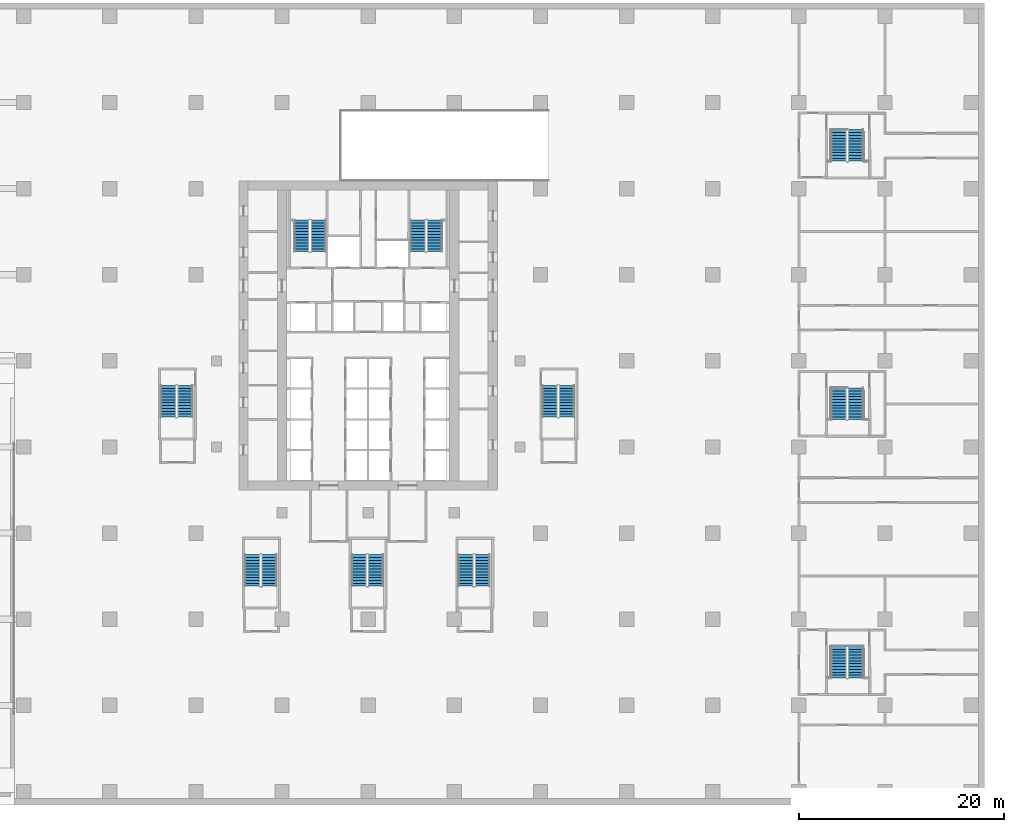
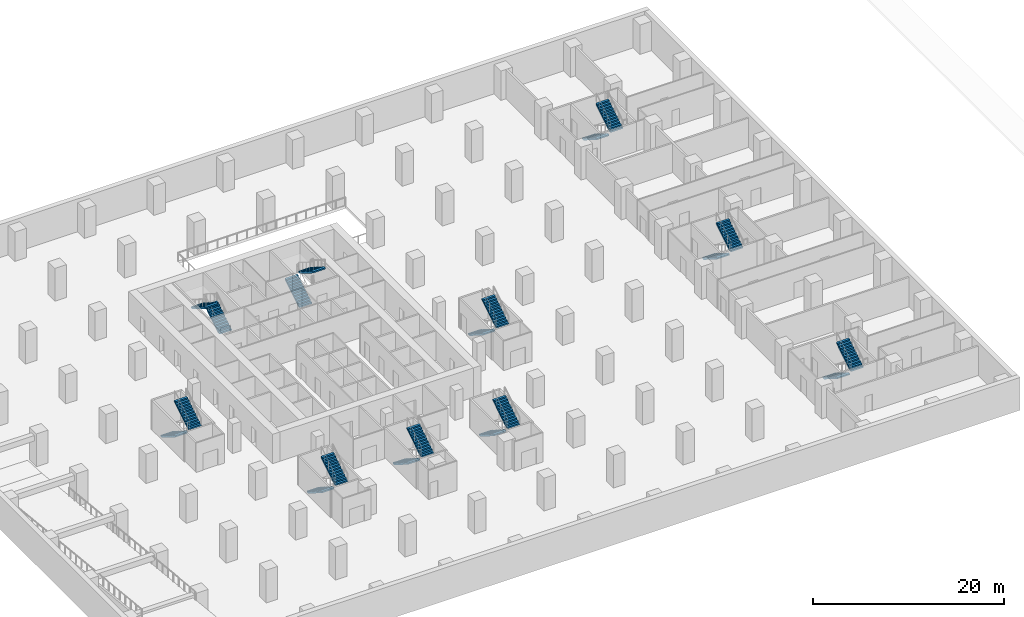
# One storey, part 12 of 17: 20 stair flights, 10 elements without a shape of their own.
"""IFC4 building model written with IfcOpenShell, lengths in metres."""

from ifc_helpers import new_model, si_unit, direction, frame, origin, place, context, subcontext, project, spatial, polyline, outline, extrude, material, type_object, element, aggregate, save


model = new_model("IFC4")

# Units and contexts
model_context = context("Model", 3, precision=1e-05, world=origin(), true_north=direction((0.0, 1.0)))
body_context = subcontext(model_context, "Body", "Model", "MODEL_VIEW")
ifc_project = project(units=[si_unit("LENGTHUNIT", "METRE"), si_unit("AREAUNIT", "SQUARE_METRE"), si_unit("VOLUMEUNIT", "CUBIC_METRE"), si_unit("PLANEANGLEUNIT", "RADIAN"), si_unit("MASSUNIT", "GRAM", prefix="KILO")], contexts=[model_context])

# Site, building, storey
site_placement = place(None, origin())
site = spatial("IfcSite", under=ifc_project, at=site_placement, CompositionType="ELEMENT")
building_placement = place(site_placement, origin())
building = spatial("IfcBuilding", under=site, at=building_placement, Name="Vermilion Ogive Tower", CompositionType="ELEMENT")
storey_placement = place(building_placement, frame((0.0, 0.0, -4.199951171875)))
storey = spatial("IfcBuildingStorey", under=building, at=storey_placement, Name="B1", CompositionType="ELEMENT", Elevation=-4.199951171875)

# Stair, stair flights
ifc_material_1 = material(Name="Concrete B40", Category="concrete")
stair_type = type_object("IfcStairType", Name="Exit stair 1500", PredefinedType="HALF_TURN_STAIR", material=ifc_material_1)
stair_1_placement = place(storey_placement, origin())
stair_1 = element("IfcStair", 1, at=stair_1_placement, inside=storey, type_object=stair_type, Name="B1 Exit Stair ST1", PredefinedType="HALF_TURN_STAIR")
ifc_material_2 = material(Name="Concrete B40", Category="concrete")
stair_flight_type = type_object("IfcStairFlightType", Name="Stair flight 1500", PredefinedType="STRAIGHT", material=ifc_material_2)
stair_flight_1_placement = place(storey_placement, frame((-4.85009765625, 14.85009765625, 0.0), z_axis=(0.0, 0.0, 1.0), x_axis=(0.0, 1.0, 0.0)))
stair_flight_1 = element("IfcStairFlight", 2, at=stair_flight_1_placement, type_object=stair_flight_type, Name="ST1 flight 1", NumberOfRisers=12, NumberOfTreads=11, PredefinedType="STRAIGHT", RiserHeight=0.175, TreadLength=0.28, context=body_context, shape_type="SweptSolid", body=[
    extrude(outline(polyline([(0.0, 0.0), (0.0, 0.175048828125), (0.280029296875, 0.175048828125), (0.280029296875, 0.35009765625), (0.56005859375, 0.35009765625), (0.56005859375, 0.52490234375), (0.840087890625, 0.52490234375), (0.840087890625, 0.699951171875), (1.1201171875, 0.699951171875), (1.1201171875, 0.875), (1.39990234375, 0.875), (1.39990234375, 1.050048828125), (1.679931640625, 1.050048828125), (1.679931640625, 1.22509765625), (1.9599609375, 1.22509765625), (1.9599609375, 1.39990234375), (2.239990234375, 1.39990234375), (2.239990234375, 1.574951171875), (2.52001953125, 1.574951171875), (2.52001953125, 1.75), (2.800048828125, 1.75), (2.800048828125, 1.925048828125), (3.080078125, 1.925048828125), (3.080078125, 2.10009765625), (3.080078125, 1.748291015625), (0.28271484375, 0.0), (0.0, 0.0)])), frame((0.0, 0.75, 0.0), z_axis=(0.0, -1.0, 0.0), x_axis=(1.0, 0.0, 0.0)), (0.0, 0.0, 1.0), 1.5),
])
stair_flight_2_placement = place(storey_placement, frame((-6.5, 17.929931640625, 2.099853515625), z_axis=(0.0, 0.0, 1.0), x_axis=(0.0, -1.0, 0.0)))
stair_flight_2 = element("IfcStairFlight", 3, at=stair_flight_2_placement, type_object=stair_flight_type, Name="ST1 flight 2", NumberOfRisers=12, NumberOfTreads=11, PredefinedType="STRAIGHT", RiserHeight=0.175, TreadLength=0.28, context=body_context, shape_type="SweptSolid", body=[
    extrude(outline(polyline([(0.0, 0.0), (0.0, 0.175048828125), (0.280029296875, 0.175048828125), (0.280029296875, 0.35009765625), (0.56005859375, 0.35009765625), (0.56005859375, 0.52490234375), (0.840087890625, 0.52490234375), (0.840087890625, 0.699951171875), (1.1201171875, 0.699951171875), (1.1201171875, 0.875), (1.39990234375, 0.875), (1.39990234375, 1.050048828125), (1.679931640625, 1.050048828125), (1.679931640625, 1.22509765625), (1.9599609375, 1.22509765625), (1.9599609375, 1.39990234375), (2.239990234375, 1.39990234375), (2.239990234375, 1.574951171875), (2.52001953125, 1.574951171875), (2.52001953125, 1.75), (2.800048828125, 1.75), (2.800048828125, 1.925048828125), (3.080078125, 1.925048828125), (3.080078125, 2.10009765625), (3.080078125, 1.748291015625), (0.28271484375, 0.0), (0.0, 0.0)])), frame((0.0, 0.75, 0.0), z_axis=(0.0, -1.0, 0.0), x_axis=(1.0, 0.0, 0.0)), (0.0, 0.0, 1.0), 1.5),
])
aggregate(stair_1, [stair_flight_1, stair_flight_2])

stair_2_placement = place(storey_placement, origin())
stair_2 = element("IfcStair", 4, at=stair_2_placement, inside=storey, type_object=stair_type, Name="B1 Exit Stair ST2", PredefinedType="HALF_TURN_STAIR")
stair_flight_3_placement = place(storey_placement, frame((4.85009765625, 14.85009765625, 0.0), z_axis=(0.0, 0.0, 1.0), x_axis=(0.0, 1.0, 0.0)))
stair_flight_3 = element("IfcStairFlight", 5, at=stair_flight_3_placement, type_object=stair_flight_type, Name="ST2 flight 1", NumberOfRisers=12, NumberOfTreads=11, PredefinedType="STRAIGHT", RiserHeight=0.175, TreadLength=0.28, context=body_context, shape_type="SweptSolid", body=[
    extrude(outline(polyline([(0.0, 0.0), (0.0, 0.175048828125), (0.280029296875, 0.175048828125), (0.280029296875, 0.35009765625), (0.56005859375, 0.35009765625), (0.56005859375, 0.52490234375), (0.840087890625, 0.52490234375), (0.840087890625, 0.699951171875), (1.1201171875, 0.699951171875), (1.1201171875, 0.875), (1.39990234375, 0.875), (1.39990234375, 1.050048828125), (1.679931640625, 1.050048828125), (1.679931640625, 1.22509765625), (1.9599609375, 1.22509765625), (1.9599609375, 1.39990234375), (2.239990234375, 1.39990234375), (2.239990234375, 1.574951171875), (2.52001953125, 1.574951171875), (2.52001953125, 1.75), (2.800048828125, 1.75), (2.800048828125, 1.925048828125), (3.080078125, 1.925048828125), (3.080078125, 2.10009765625), (3.080078125, 1.748291015625), (0.28271484375, 0.0), (0.0, 0.0)])), frame((0.0, 0.75, 0.0), z_axis=(0.0, -1.0, 0.0), x_axis=(1.0, 0.0, 0.0)), (0.0, 0.0, 1.0), 1.5),
])
stair_flight_4_placement = place(storey_placement, frame((6.5, 17.929931640625, 2.099853515625), z_axis=(0.0, 0.0, 1.0), x_axis=(0.0, -1.0, 0.0)))
stair_flight_4 = element("IfcStairFlight", 6, at=stair_flight_4_placement, type_object=stair_flight_type, Name="ST2 flight 2", NumberOfRisers=12, NumberOfTreads=11, PredefinedType="STRAIGHT", RiserHeight=0.175, TreadLength=0.28, context=body_context, shape_type="SweptSolid", body=[
    extrude(outline(polyline([(0.0, 0.0), (0.0, 0.175048828125), (0.280029296875, 0.175048828125), (0.280029296875, 0.35009765625), (0.56005859375, 0.35009765625), (0.56005859375, 0.52490234375), (0.840087890625, 0.52490234375), (0.840087890625, 0.699951171875), (1.1201171875, 0.699951171875), (1.1201171875, 0.875), (1.39990234375, 0.875), (1.39990234375, 1.050048828125), (1.679931640625, 1.050048828125), (1.679931640625, 1.22509765625), (1.9599609375, 1.22509765625), (1.9599609375, 1.39990234375), (2.239990234375, 1.39990234375), (2.239990234375, 1.574951171875), (2.52001953125, 1.574951171875), (2.52001953125, 1.75), (2.800048828125, 1.75), (2.800048828125, 1.925048828125), (3.080078125, 1.925048828125), (3.080078125, 2.10009765625), (3.080078125, 1.748291015625), (0.28271484375, 0.0), (0.0, 0.0)])), frame((0.0, 0.75, 0.0), z_axis=(0.0, -1.0, 0.0), x_axis=(1.0, 0.0, 0.0)), (0.0, 0.0, 1.0), 1.5),
])
aggregate(stair_2, [stair_flight_3, stair_flight_4])

stair_3_placement = place(storey_placement, origin())
stair_3 = element("IfcStair", 7, at=stair_3_placement, inside=storey, type_object=stair_type, Name="B1 Exit Stair ST3", PredefinedType="HALF_TURN_STAIR")
stair_flight_5_placement = place(storey_placement, frame((-11.300048828125, -14.699951171875, 0.0), z_axis=(0.0, 0.0, 1.0), x_axis=(0.0, -1.0, 0.0)))
stair_flight_5 = element("IfcStairFlight", 8, at=stair_flight_5_placement, type_object=stair_flight_type, Name="ST3 flight 1", NumberOfRisers=12, NumberOfTreads=11, PredefinedType="STRAIGHT", RiserHeight=0.175, TreadLength=0.28, context=body_context, shape_type="SweptSolid", body=[
    extrude(outline(polyline([(0.0, 0.0), (0.0, 0.175048828125), (0.280029296875, 0.175048828125), (0.280029296875, 0.35009765625), (0.56005859375, 0.35009765625), (0.56005859375, 0.52490234375), (0.840087890625, 0.52490234375), (0.840087890625, 0.699951171875), (1.1201171875, 0.699951171875), (1.1201171875, 0.875), (1.39990234375, 0.875), (1.39990234375, 1.050048828125), (1.679931640625, 1.050048828125), (1.679931640625, 1.22509765625), (1.9599609375, 1.22509765625), (1.9599609375, 1.39990234375), (2.239990234375, 1.39990234375), (2.239990234375, 1.574951171875), (2.52001953125, 1.574951171875), (2.52001953125, 1.75), (2.800048828125, 1.75), (2.800048828125, 1.925048828125), (3.080078125, 1.925048828125), (3.080078125, 2.10009765625), (3.080078125, 1.748291015625), (0.28271484375, 0.0), (0.0, 0.0)])), frame((0.0, 0.75, 0.0), z_axis=(0.0, -1.0, 0.0), x_axis=(1.0, 0.0, 0.0)), (0.0, 0.0, 1.0), 1.5),
])
stair_flight_6_placement = place(storey_placement, frame((-9.64990234375, -17.780029296875, 2.099853515625), z_axis=(0.0, 0.0, 1.0), x_axis=(0.0, 1.0, 0.0)))
stair_flight_6 = element("IfcStairFlight", 9, at=stair_flight_6_placement, type_object=stair_flight_type, Name="ST3 flight 2", NumberOfRisers=12, NumberOfTreads=11, PredefinedType="STRAIGHT", RiserHeight=0.175, TreadLength=0.28, context=body_context, shape_type="SweptSolid", body=[
    extrude(outline(polyline([(0.0, 0.0), (0.0, 0.175048828125), (0.280029296875, 0.175048828125), (0.280029296875, 0.35009765625), (0.56005859375, 0.35009765625), (0.56005859375, 0.52490234375), (0.840087890625, 0.52490234375), (0.840087890625, 0.699951171875), (1.1201171875, 0.699951171875), (1.1201171875, 0.875), (1.39990234375, 0.875), (1.39990234375, 1.050048828125), (1.679931640625, 1.050048828125), (1.679931640625, 1.22509765625), (1.9599609375, 1.22509765625), (1.9599609375, 1.39990234375), (2.239990234375, 1.39990234375), (2.239990234375, 1.574951171875), (2.52001953125, 1.574951171875), (2.52001953125, 1.75), (2.800048828125, 1.75), (2.800048828125, 1.925048828125), (3.080078125, 1.925048828125), (3.080078125, 2.10009765625), (3.080078125, 1.748291015625), (0.28271484375, 0.0), (0.0, 0.0)])), frame((0.0, 0.75, 0.0), z_axis=(0.0, -1.0, 0.0), x_axis=(1.0, 0.0, 0.0)), (0.0, 0.0, 1.0), 1.5),
])
aggregate(stair_3, [stair_flight_5, stair_flight_6])

stair_4_placement = place(storey_placement, origin())
stair_4 = element("IfcStair", 10, at=stair_4_placement, inside=storey, type_object=stair_type, Name="B1 Exit Stair ST4", PredefinedType="HALF_TURN_STAIR")
stair_flight_7_placement = place(storey_placement, frame((-0.89990234375, -14.699951171875, 0.0), z_axis=(0.0, 0.0, 1.0), x_axis=(0.0, -1.0, 0.0)))
stair_flight_7 = element("IfcStairFlight", 11, at=stair_flight_7_placement, type_object=stair_flight_type, Name="ST4 flight 1", NumberOfRisers=12, NumberOfTreads=11, PredefinedType="STRAIGHT", RiserHeight=0.175, TreadLength=0.28, context=body_context, shape_type="SweptSolid", body=[
    extrude(outline(polyline([(0.0, 0.0), (0.0, 0.175048828125), (0.280029296875, 0.175048828125), (0.280029296875, 0.35009765625), (0.56005859375, 0.35009765625), (0.56005859375, 0.52490234375), (0.840087890625, 0.52490234375), (0.840087890625, 0.699951171875), (1.1201171875, 0.699951171875), (1.1201171875, 0.875), (1.39990234375, 0.875), (1.39990234375, 1.050048828125), (1.679931640625, 1.050048828125), (1.679931640625, 1.22509765625), (1.9599609375, 1.22509765625), (1.9599609375, 1.39990234375), (2.239990234375, 1.39990234375), (2.239990234375, 1.574951171875), (2.52001953125, 1.574951171875), (2.52001953125, 1.75), (2.800048828125, 1.75), (2.800048828125, 1.925048828125), (3.080078125, 1.925048828125), (3.080078125, 2.10009765625), (3.080078125, 1.748291015625), (0.28271484375, 0.0), (0.0, 0.0)])), frame((0.0, 0.75, 0.0), z_axis=(0.0, -1.0, 0.0), x_axis=(1.0, 0.0, 0.0)), (0.0, 0.0, 1.0), 1.5),
])
stair_flight_8_placement = place(storey_placement, frame((0.75, -17.780029296875, 2.099853515625), z_axis=(0.0, 0.0, 1.0), x_axis=(0.0, 1.0, 0.0)))
stair_flight_8 = element("IfcStairFlight", 12, at=stair_flight_8_placement, type_object=stair_flight_type, Name="ST4 flight 2", NumberOfRisers=12, NumberOfTreads=11, PredefinedType="STRAIGHT", RiserHeight=0.175, TreadLength=0.28, context=body_context, shape_type="SweptSolid", body=[
    extrude(outline(polyline([(0.0, 0.0), (0.0, 0.175048828125), (0.280029296875, 0.175048828125), (0.280029296875, 0.35009765625), (0.56005859375, 0.35009765625), (0.56005859375, 0.52490234375), (0.840087890625, 0.52490234375), (0.840087890625, 0.699951171875), (1.1201171875, 0.699951171875), (1.1201171875, 0.875), (1.39990234375, 0.875), (1.39990234375, 1.050048828125), (1.679931640625, 1.050048828125), (1.679931640625, 1.22509765625), (1.9599609375, 1.22509765625), (1.9599609375, 1.39990234375), (2.239990234375, 1.39990234375), (2.239990234375, 1.574951171875), (2.52001953125, 1.574951171875), (2.52001953125, 1.75), (2.800048828125, 1.75), (2.800048828125, 1.925048828125), (3.080078125, 1.925048828125), (3.080078125, 2.10009765625), (3.080078125, 1.748291015625), (0.28271484375, 0.0), (0.0, 0.0)])), frame((0.0, 0.75, 0.0), z_axis=(0.0, -1.0, 0.0), x_axis=(1.0, 0.0, 0.0)), (0.0, 0.0, 1.0), 1.5),
])
aggregate(stair_4, [stair_flight_7, stair_flight_8])

stair_5_placement = place(storey_placement, origin())
stair_5 = element("IfcStair", 13, at=stair_5_placement, inside=storey, type_object=stair_type, Name="B1 Exit Stair ST5", PredefinedType="HALF_TURN_STAIR")
stair_flight_9_placement = place(storey_placement, frame((9.5, -14.699951171875, 0.0), z_axis=(0.0, 0.0, 1.0), x_axis=(0.0, -1.0, 0.0)))
stair_flight_9 = element("IfcStairFlight", 14, at=stair_flight_9_placement, type_object=stair_flight_type, Name="ST5 flight 1", NumberOfRisers=12, NumberOfTreads=11, PredefinedType="STRAIGHT", RiserHeight=0.175, TreadLength=0.28, context=body_context, shape_type="SweptSolid", body=[
    extrude(outline(polyline([(0.0, 0.0), (0.0, 0.175048828125), (0.280029296875, 0.175048828125), (0.280029296875, 0.35009765625), (0.56005859375, 0.35009765625), (0.56005859375, 0.52490234375), (0.840087890625, 0.52490234375), (0.840087890625, 0.699951171875), (1.1201171875, 0.699951171875), (1.1201171875, 0.875), (1.39990234375, 0.875), (1.39990234375, 1.050048828125), (1.679931640625, 1.050048828125), (1.679931640625, 1.22509765625), (1.9599609375, 1.22509765625), (1.9599609375, 1.39990234375), (2.239990234375, 1.39990234375), (2.239990234375, 1.574951171875), (2.52001953125, 1.574951171875), (2.52001953125, 1.75), (2.800048828125, 1.75), (2.800048828125, 1.925048828125), (3.080078125, 1.925048828125), (3.080078125, 2.10009765625), (3.080078125, 1.748291015625), (0.28271484375, 0.0), (0.0, 0.0)])), frame((0.0, 0.75, 0.0), z_axis=(0.0, -1.0, 0.0), x_axis=(1.0, 0.0, 0.0)), (0.0, 0.0, 1.0), 1.5),
])
stair_flight_10_placement = place(storey_placement, frame((11.14990234375, -17.780029296875, 2.099853515625), z_axis=(0.0, 0.0, 1.0), x_axis=(0.0, 1.0, 0.0)))
stair_flight_10 = element("IfcStairFlight", 15, at=stair_flight_10_placement, type_object=stair_flight_type, Name="ST5 flight 2", NumberOfRisers=12, NumberOfTreads=11, PredefinedType="STRAIGHT", RiserHeight=0.175, TreadLength=0.28, context=body_context, shape_type="SweptSolid", body=[
    extrude(outline(polyline([(0.0, 0.0), (0.0, 0.175048828125), (0.280029296875, 0.175048828125), (0.280029296875, 0.35009765625), (0.56005859375, 0.35009765625), (0.56005859375, 0.52490234375), (0.840087890625, 0.52490234375), (0.840087890625, 0.699951171875), (1.1201171875, 0.699951171875), (1.1201171875, 0.875), (1.39990234375, 0.875), (1.39990234375, 1.050048828125), (1.679931640625, 1.050048828125), (1.679931640625, 1.22509765625), (1.9599609375, 1.22509765625), (1.9599609375, 1.39990234375), (2.239990234375, 1.39990234375), (2.239990234375, 1.574951171875), (2.52001953125, 1.574951171875), (2.52001953125, 1.75), (2.800048828125, 1.75), (2.800048828125, 1.925048828125), (3.080078125, 1.925048828125), (3.080078125, 2.10009765625), (3.080078125, 1.748291015625), (0.28271484375, 0.0), (0.0, 0.0)])), frame((0.0, 0.75, 0.0), z_axis=(0.0, -1.0, 0.0), x_axis=(1.0, 0.0, 0.0)), (0.0, 0.0, 1.0), 1.5),
])
aggregate(stair_5, [stair_flight_9, stair_flight_10])

stair_6_placement = place(storey_placement, origin())
stair_6 = element("IfcStair", 16, at=stair_6_placement, inside=storey, type_object=stair_type, Name="B1 Exit Stair ST8", PredefinedType="HALF_TURN_STAIR")
stair_flight_11_placement = place(storey_placement, frame((17.699951171875, 1.800048828125, 0.0), z_axis=(0.0, 0.0, 1.0), x_axis=(0.0, -1.0, 0.0)))
stair_flight_11 = element("IfcStairFlight", 17, at=stair_flight_11_placement, type_object=stair_flight_type, Name="ST8 flight 1", NumberOfRisers=12, NumberOfTreads=11, PredefinedType="STRAIGHT", RiserHeight=0.175, TreadLength=0.28, context=body_context, shape_type="SweptSolid", body=[
    extrude(outline(polyline([(0.0, 0.0), (0.0, 0.175048828125), (0.280029296875, 0.175048828125), (0.280029296875, 0.35009765625), (0.56005859375, 0.35009765625), (0.56005859375, 0.52490234375), (0.840087890625, 0.52490234375), (0.840087890625, 0.699951171875), (1.1201171875, 0.699951171875), (1.1201171875, 0.875), (1.39990234375, 0.875), (1.39990234375, 1.050048828125), (1.679931640625, 1.050048828125), (1.679931640625, 1.22509765625), (1.9599609375, 1.22509765625), (1.9599609375, 1.39990234375), (2.239990234375, 1.39990234375), (2.239990234375, 1.574951171875), (2.52001953125, 1.574951171875), (2.52001953125, 1.75), (2.800048828125, 1.75), (2.800048828125, 1.925048828125), (3.080078125, 1.925048828125), (3.080078125, 2.10009765625), (3.080078125, 1.748291015625), (0.28271484375, 0.0), (0.0, 0.0)])), frame((0.0, 0.75, 0.0), z_axis=(0.0, -1.0, 0.0), x_axis=(1.0, 0.0, 0.0)), (0.0, 0.0, 1.0), 1.5),
])
stair_flight_12_placement = place(storey_placement, frame((19.35009765625, -1.280029296875, 2.099853515625), z_axis=(0.0, 0.0, 1.0), x_axis=(0.0, 1.0, 0.0)))
stair_flight_12 = element("IfcStairFlight", 18, at=stair_flight_12_placement, type_object=stair_flight_type, Name="ST8 flight 2", NumberOfRisers=12, NumberOfTreads=11, PredefinedType="STRAIGHT", RiserHeight=0.175, TreadLength=0.28, context=body_context, shape_type="SweptSolid", body=[
    extrude(outline(polyline([(0.0, 0.0), (0.0, 0.175048828125), (0.280029296875, 0.175048828125), (0.280029296875, 0.35009765625), (0.56005859375, 0.35009765625), (0.56005859375, 0.52490234375), (0.840087890625, 0.52490234375), (0.840087890625, 0.699951171875), (1.1201171875, 0.699951171875), (1.1201171875, 0.875), (1.39990234375, 0.875), (1.39990234375, 1.050048828125), (1.679931640625, 1.050048828125), (1.679931640625, 1.22509765625), (1.9599609375, 1.22509765625), (1.9599609375, 1.39990234375), (2.239990234375, 1.39990234375), (2.239990234375, 1.574951171875), (2.52001953125, 1.574951171875), (2.52001953125, 1.75), (2.800048828125, 1.75), (2.800048828125, 1.925048828125), (3.080078125, 1.925048828125), (3.080078125, 2.10009765625), (3.080078125, 1.748291015625), (0.28271484375, 0.0), (0.0, 0.0)])), frame((0.0, 0.75, 0.0), z_axis=(0.0, -1.0, 0.0), x_axis=(1.0, 0.0, 0.0)), (0.0, 0.0, 1.0), 1.5),
])
aggregate(stair_6, [stair_flight_11, stair_flight_12])

stair_7_placement = place(storey_placement, origin())
stair_7 = element("IfcStair", 19, at=stair_7_placement, inside=storey, type_object=stair_type, Name="B1 Exit Stair ST9", PredefinedType="HALF_TURN_STAIR")
stair_flight_13_placement = place(storey_placement, frame((-19.5, 1.800048828125, 0.0), z_axis=(0.0, 0.0, 1.0), x_axis=(0.0, -1.0, 0.0)))
stair_flight_13 = element("IfcStairFlight", 20, at=stair_flight_13_placement, type_object=stair_flight_type, Name="ST9 flight 1", NumberOfRisers=12, NumberOfTreads=11, PredefinedType="STRAIGHT", RiserHeight=0.175, TreadLength=0.28, context=body_context, shape_type="SweptSolid", body=[
    extrude(outline(polyline([(0.0, 0.0), (0.0, 0.175048828125), (0.280029296875, 0.175048828125), (0.280029296875, 0.35009765625), (0.56005859375, 0.35009765625), (0.56005859375, 0.52490234375), (0.840087890625, 0.52490234375), (0.840087890625, 0.699951171875), (1.1201171875, 0.699951171875), (1.1201171875, 0.875), (1.39990234375, 0.875), (1.39990234375, 1.050048828125), (1.679931640625, 1.050048828125), (1.679931640625, 1.22509765625), (1.9599609375, 1.22509765625), (1.9599609375, 1.39990234375), (2.239990234375, 1.39990234375), (2.239990234375, 1.574951171875), (2.52001953125, 1.574951171875), (2.52001953125, 1.75), (2.800048828125, 1.75), (2.800048828125, 1.925048828125), (3.080078125, 1.925048828125), (3.080078125, 2.10009765625), (3.080078125, 1.748291015625), (0.28271484375, 0.0), (0.0, 0.0)])), frame((0.0, 0.75, 0.0), z_axis=(0.0, -1.0, 0.0), x_axis=(1.0, 0.0, 0.0)), (0.0, 0.0, 1.0), 1.5),
])
stair_flight_14_placement = place(storey_placement, frame((-17.85009765625, -1.280029296875, 2.099853515625), z_axis=(0.0, 0.0, 1.0), x_axis=(0.0, 1.0, 0.0)))
stair_flight_14 = element("IfcStairFlight", 21, at=stair_flight_14_placement, type_object=stair_flight_type, Name="ST9 flight 2", NumberOfRisers=12, NumberOfTreads=11, PredefinedType="STRAIGHT", RiserHeight=0.175, TreadLength=0.28, context=body_context, shape_type="SweptSolid", body=[
    extrude(outline(polyline([(0.0, 0.0), (0.0, 0.175048828125), (0.280029296875, 0.175048828125), (0.280029296875, 0.35009765625), (0.56005859375, 0.35009765625), (0.56005859375, 0.52490234375), (0.840087890625, 0.52490234375), (0.840087890625, 0.699951171875), (1.1201171875, 0.699951171875), (1.1201171875, 0.875), (1.39990234375, 0.875), (1.39990234375, 1.050048828125), (1.679931640625, 1.050048828125), (1.679931640625, 1.22509765625), (1.9599609375, 1.22509765625), (1.9599609375, 1.39990234375), (2.239990234375, 1.39990234375), (2.239990234375, 1.574951171875), (2.52001953125, 1.574951171875), (2.52001953125, 1.75), (2.800048828125, 1.75), (2.800048828125, 1.925048828125), (3.080078125, 1.925048828125), (3.080078125, 2.10009765625), (3.080078125, 1.748291015625), (0.28271484375, 0.0), (0.0, 0.0)])), frame((0.0, 0.75, 0.0), z_axis=(0.0, -1.0, 0.0), x_axis=(1.0, 0.0, 0.0)), (0.0, 0.0, 1.0), 1.5),
])
aggregate(stair_7, [stair_flight_13, stair_flight_14])

stair_8_placement = place(storey_placement, origin())
stair_8 = element("IfcStair", 22, at=stair_8_placement, inside=storey, type_object=stair_type, Name="B1 Exit Stair PEN", PredefinedType="HALF_TURN_STAIR")
stair_flight_15_placement = place(storey_placement, frame((45.89990234375, 26.75, 0.0), z_axis=(0.0, 0.0, 1.0), x_axis=(0.0, -1.0, 0.0)))
stair_flight_15 = element("IfcStairFlight", 23, at=stair_flight_15_placement, type_object=stair_flight_type, Name="PEN flight 1", NumberOfRisers=12, NumberOfTreads=11, PredefinedType="STRAIGHT", RiserHeight=0.175, TreadLength=0.28, context=body_context, shape_type="SweptSolid", body=[
    extrude(outline(polyline([(0.0, 0.0), (0.0, 0.175048828125), (0.280029296875, 0.175048828125), (0.280029296875, 0.35009765625), (0.56005859375, 0.35009765625), (0.56005859375, 0.52490234375), (0.840087890625, 0.52490234375), (0.840087890625, 0.699951171875), (1.1201171875, 0.699951171875), (1.1201171875, 0.875), (1.39990234375, 0.875), (1.39990234375, 1.050048828125), (1.679931640625, 1.050048828125), (1.679931640625, 1.22509765625), (1.9599609375, 1.22509765625), (1.9599609375, 1.39990234375), (2.239990234375, 1.39990234375), (2.239990234375, 1.574951171875), (2.52001953125, 1.574951171875), (2.52001953125, 1.75), (2.800048828125, 1.75), (2.800048828125, 1.925048828125), (3.080078125, 1.925048828125), (3.080078125, 2.10009765625), (3.080078125, 1.748291015625), (0.28271484375, 0.0), (0.0, 0.0)])), frame((0.0, 0.75, 0.0), z_axis=(0.0, -1.0, 0.0), x_axis=(1.0, 0.0, 0.0)), (0.0, 0.0, 1.0), 1.5),
])
stair_flight_16_placement = place(storey_placement, frame((47.550048828125, 23.669921875, 2.099853515625), z_axis=(0.0, 0.0, 1.0), x_axis=(0.0, 1.0, 0.0)))
stair_flight_16 = element("IfcStairFlight", 24, at=stair_flight_16_placement, type_object=stair_flight_type, Name="PEN flight 2", NumberOfRisers=12, NumberOfTreads=11, PredefinedType="STRAIGHT", RiserHeight=0.175, TreadLength=0.28, context=body_context, shape_type="SweptSolid", body=[
    extrude(outline(polyline([(0.0, 0.0), (0.0, 0.175048828125), (0.280029296875, 0.175048828125), (0.280029296875, 0.35009765625), (0.56005859375, 0.35009765625), (0.56005859375, 0.52490234375), (0.840087890625, 0.52490234375), (0.840087890625, 0.699951171875), (1.1201171875, 0.699951171875), (1.1201171875, 0.875), (1.39990234375, 0.875), (1.39990234375, 1.050048828125), (1.679931640625, 1.050048828125), (1.679931640625, 1.22509765625), (1.9599609375, 1.22509765625), (1.9599609375, 1.39990234375), (2.239990234375, 1.39990234375), (2.239990234375, 1.574951171875), (2.52001953125, 1.574951171875), (2.52001953125, 1.75), (2.800048828125, 1.75), (2.800048828125, 1.925048828125), (3.080078125, 1.925048828125), (3.080078125, 2.10009765625), (3.080078125, 1.748291015625), (0.28271484375, 0.0), (0.0, 0.0)])), frame((0.0, 0.75, 0.0), z_axis=(0.0, -1.0, 0.0), x_axis=(1.0, 0.0, 0.0)), (0.0, 0.0, 1.0), 1.5),
])
aggregate(stair_8, [stair_flight_15, stair_flight_16])

stair_9_placement = place(storey_placement, origin())
stair_9 = element("IfcStair", 25, at=stair_9_placement, inside=storey, type_object=stair_type, Name="B1 Exit Stair PEC", PredefinedType="HALF_TURN_STAIR")
stair_flight_17_placement = place(storey_placement, frame((45.89990234375, 1.550048828125, 0.0), z_axis=(0.0, 0.0, 1.0), x_axis=(0.0, -1.0, 0.0)))
stair_flight_17 = element("IfcStairFlight", 26, at=stair_flight_17_placement, type_object=stair_flight_type, Name="PEC flight 1", NumberOfRisers=12, NumberOfTreads=11, PredefinedType="STRAIGHT", RiserHeight=0.175, TreadLength=0.28, context=body_context, shape_type="SweptSolid", body=[
    extrude(outline(polyline([(0.0, 0.0), (0.0, 0.175048828125), (0.280029296875, 0.175048828125), (0.280029296875, 0.35009765625), (0.56005859375, 0.35009765625), (0.56005859375, 0.52490234375), (0.840087890625, 0.52490234375), (0.840087890625, 0.699951171875), (1.1201171875, 0.699951171875), (1.1201171875, 0.875), (1.39990234375, 0.875), (1.39990234375, 1.050048828125), (1.679931640625, 1.050048828125), (1.679931640625, 1.22509765625), (1.9599609375, 1.22509765625), (1.9599609375, 1.39990234375), (2.239990234375, 1.39990234375), (2.239990234375, 1.574951171875), (2.52001953125, 1.574951171875), (2.52001953125, 1.75), (2.800048828125, 1.75), (2.800048828125, 1.925048828125), (3.080078125, 1.925048828125), (3.080078125, 2.10009765625), (3.080078125, 1.748291015625), (0.28271484375, 0.0), (0.0, 0.0)])), frame((0.0, 0.75, 0.0), z_axis=(0.0, -1.0, 0.0), x_axis=(1.0, 0.0, 0.0)), (0.0, 0.0, 1.0), 1.5),
])
stair_flight_18_placement = place(storey_placement, frame((47.550048828125, -1.530029296875, 2.099853515625), z_axis=(0.0, 0.0, 1.0), x_axis=(0.0, 1.0, 0.0)))
stair_flight_18 = element("IfcStairFlight", 27, at=stair_flight_18_placement, type_object=stair_flight_type, Name="PEC flight 2", NumberOfRisers=12, NumberOfTreads=11, PredefinedType="STRAIGHT", RiserHeight=0.175, TreadLength=0.28, context=body_context, shape_type="SweptSolid", body=[
    extrude(outline(polyline([(0.0, 0.0), (0.0, 0.175048828125), (0.280029296875, 0.175048828125), (0.280029296875, 0.35009765625), (0.56005859375, 0.35009765625), (0.56005859375, 0.52490234375), (0.840087890625, 0.52490234375), (0.840087890625, 0.699951171875), (1.1201171875, 0.699951171875), (1.1201171875, 0.875), (1.39990234375, 0.875), (1.39990234375, 1.050048828125), (1.679931640625, 1.050048828125), (1.679931640625, 1.22509765625), (1.9599609375, 1.22509765625), (1.9599609375, 1.39990234375), (2.239990234375, 1.39990234375), (2.239990234375, 1.574951171875), (2.52001953125, 1.574951171875), (2.52001953125, 1.75), (2.800048828125, 1.75), (2.800048828125, 1.925048828125), (3.080078125, 1.925048828125), (3.080078125, 2.10009765625), (3.080078125, 1.748291015625), (0.28271484375, 0.0), (0.0, 0.0)])), frame((0.0, 0.75, 0.0), z_axis=(0.0, -1.0, 0.0), x_axis=(1.0, 0.0, 0.0)), (0.0, 0.0, 1.0), 1.5),
])
aggregate(stair_9, [stair_flight_17, stair_flight_18])

stair_10_placement = place(storey_placement, origin())
stair_10 = element("IfcStair", 28, at=stair_10_placement, inside=storey, type_object=stair_type, Name="B1 Exit Stair PES", PredefinedType="HALF_TURN_STAIR")
stair_flight_19_placement = place(storey_placement, frame((45.89990234375, -23.64990234375, 0.0), z_axis=(0.0, 0.0, 1.0), x_axis=(0.0, -1.0, 0.0)))
stair_flight_19 = element("IfcStairFlight", 29, at=stair_flight_19_placement, type_object=stair_flight_type, Name="PES flight 1", NumberOfRisers=12, NumberOfTreads=11, PredefinedType="STRAIGHT", RiserHeight=0.175, TreadLength=0.28, context=body_context, shape_type="SweptSolid", body=[
    extrude(outline(polyline([(0.0, 0.0), (0.0, 0.175048828125), (0.280029296875, 0.175048828125), (0.280029296875, 0.35009765625), (0.56005859375, 0.35009765625), (0.56005859375, 0.52490234375), (0.840087890625, 0.52490234375), (0.840087890625, 0.699951171875), (1.1201171875, 0.699951171875), (1.1201171875, 0.875), (1.39990234375, 0.875), (1.39990234375, 1.050048828125), (1.679931640625, 1.050048828125), (1.679931640625, 1.22509765625), (1.9599609375, 1.22509765625), (1.9599609375, 1.39990234375), (2.239990234375, 1.39990234375), (2.239990234375, 1.574951171875), (2.52001953125, 1.574951171875), (2.52001953125, 1.75), (2.800048828125, 1.75), (2.800048828125, 1.925048828125), (3.080078125, 1.925048828125), (3.080078125, 2.10009765625), (3.080078125, 1.748291015625), (0.28271484375, 0.0), (0.0, 0.0)])), frame((0.0, 0.75, 0.0), z_axis=(0.0, -1.0, 0.0), x_axis=(1.0, 0.0, 0.0)), (0.0, 0.0, 1.0), 1.5),
])
stair_flight_20_placement = place(storey_placement, frame((47.550048828125, -26.72998046875, 2.099853515625), z_axis=(0.0, 0.0, 1.0), x_axis=(0.0, 1.0, 0.0)))
stair_flight_20 = element("IfcStairFlight", 30, at=stair_flight_20_placement, type_object=stair_flight_type, Name="PES flight 2", NumberOfRisers=12, NumberOfTreads=11, PredefinedType="STRAIGHT", RiserHeight=0.175, TreadLength=0.28, context=body_context, shape_type="SweptSolid", body=[
    extrude(outline(polyline([(0.0, 0.0), (0.0, 0.175048828125), (0.280029296875, 0.175048828125), (0.280029296875, 0.35009765625), (0.56005859375, 0.35009765625), (0.56005859375, 0.52490234375), (0.840087890625, 0.52490234375), (0.840087890625, 0.699951171875), (1.1201171875, 0.699951171875), (1.1201171875, 0.875), (1.39990234375, 0.875), (1.39990234375, 1.050048828125), (1.679931640625, 1.050048828125), (1.679931640625, 1.22509765625), (1.9599609375, 1.22509765625), (1.9599609375, 1.39990234375), (2.239990234375, 1.39990234375), (2.239990234375, 1.574951171875), (2.52001953125, 1.574951171875), (2.52001953125, 1.75), (2.800048828125, 1.75), (2.800048828125, 1.925048828125), (3.080078125, 1.925048828125), (3.080078125, 2.10009765625), (3.080078125, 1.748291015625), (0.28271484375, 0.0), (0.0, 0.0)])), frame((0.0, 0.75, 0.0), z_axis=(0.0, -1.0, 0.0), x_axis=(1.0, 0.0, 0.0)), (0.0, 0.0, 1.0), 1.5),
])
aggregate(stair_10, [stair_flight_19, stair_flight_20])

save(model, "model.ifc")
